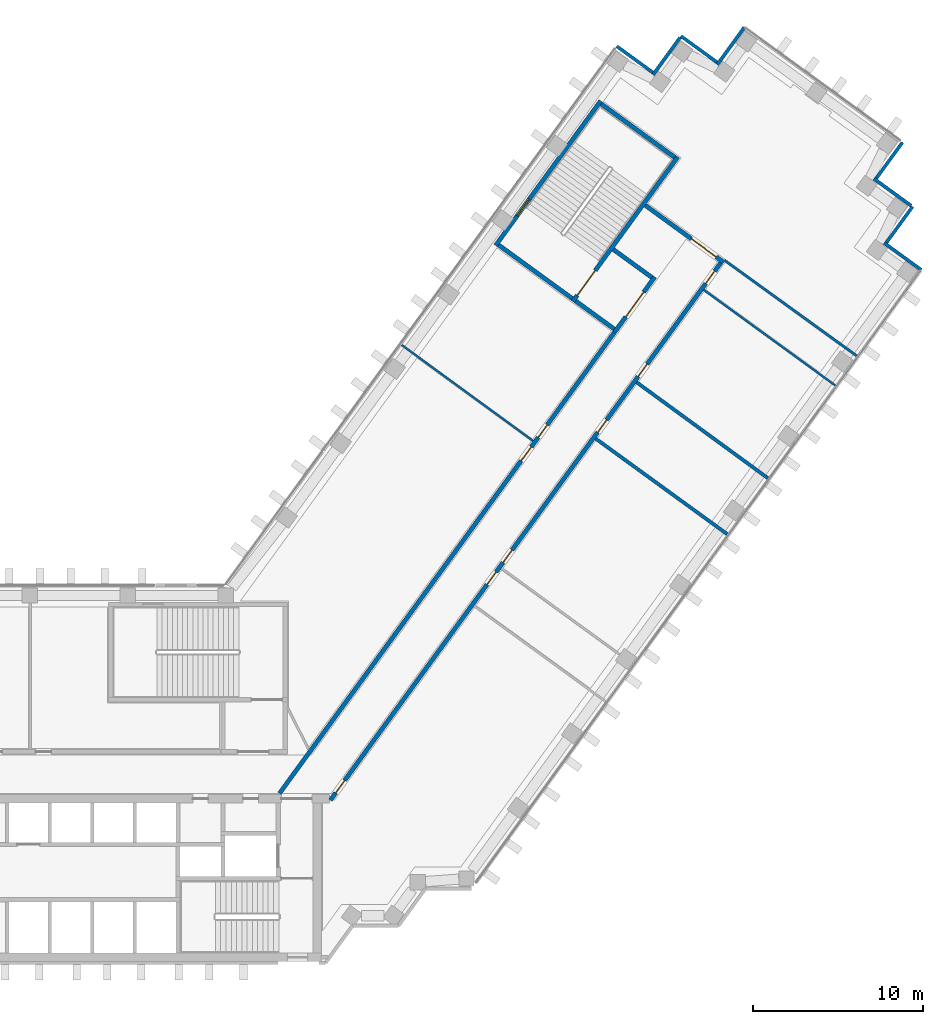
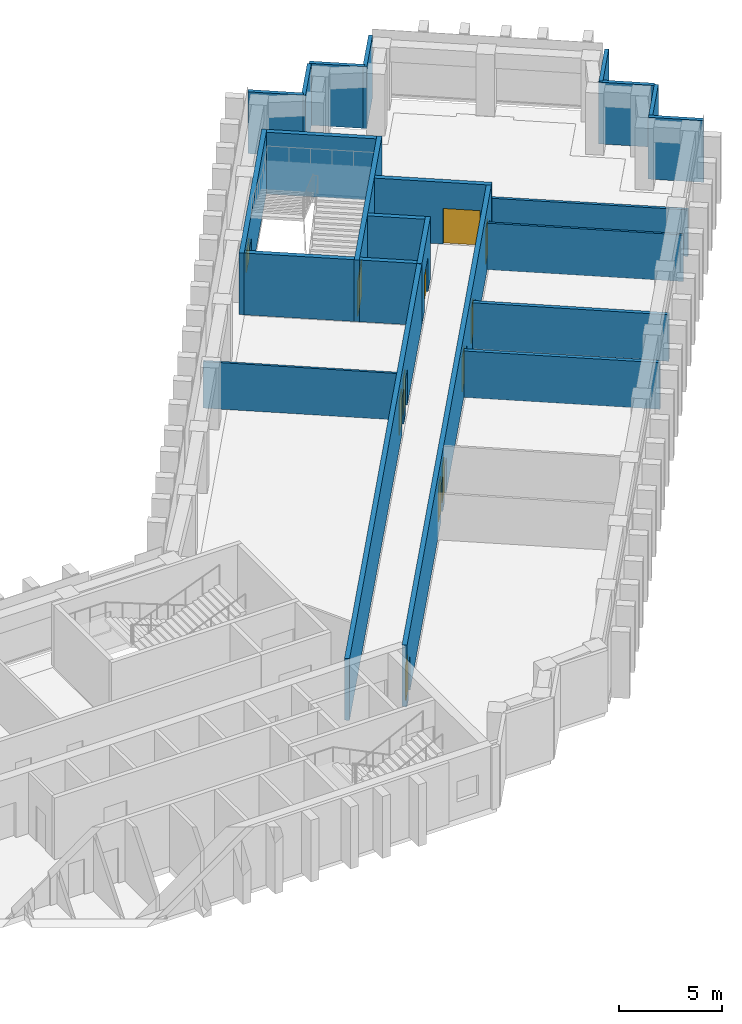
# One storey, part 11 of 15: 23 walls, 11 doors, 1 window, 12 openings.
"""IFC4 building model written with IfcOpenShell, lengths in metres."""

from ifc_helpers import new_model, si_unit, direction, frame, frame_2d, origin, place, context, subcontext, project, spatial, rectangle, extrude, material, layer, layer_set, type_object, element, fill, save


model = new_model("IFC4")

# Units and contexts
model_context = context("Model", 3, precision=1e-05, world=origin(), true_north=direction((0.0, 1.0)))
body_context = subcontext(model_context, "Body", "Model", "MODEL_VIEW")
ifc_project = project(units=[si_unit("LENGTHUNIT", "METRE"), si_unit("AREAUNIT", "SQUARE_METRE"), si_unit("VOLUMEUNIT", "CUBIC_METRE"), si_unit("PLANEANGLEUNIT", "RADIAN"), si_unit("MASSUNIT", "GRAM", prefix="KILO")], contexts=[model_context])

# Site, building, storey
site_placement = place(None, origin())
site = spatial("IfcSite", under=ifc_project, at=site_placement, CompositionType="ELEMENT")
building_placement = place(site_placement, origin())
building = spatial("IfcBuilding", under=site, at=building_placement, Name="Quipu Civic Tower", CompositionType="ELEMENT")
storey_placement = place(building_placement, frame((0.0, 0.0, 31.0)))
storey = spatial("IfcBuildingStorey", under=building, at=storey_placement, Name="L06", CompositionType="ELEMENT", Elevation=31.0)

# Walls
ifc_material_1 = material(Name="Double gypsum plasterboard with mineral wool")
ifc_layer_1 = layer(ifc_material_1, 0.14990234375)
ifc_layer_set_1 = layer_set([ifc_layer_1], Name="Double gypsum plasterboard with mineral wool")
wall_type_1 = type_object("IfcWallType", Name="Acoustic partition 150 plasterboard", PredefinedType="PARTITIONING", material=ifc_layer_set_1)
wall_1_placement = place(storey_placement, frame((43.698486328125, 30.185302734375, 0.0), z_axis=(0.0, 0.0, 1.0), x_axis=(0.810419489461, -0.58585002441, 0.0)))
element("IfcWall", 1, at=wall_1_placement, inside=storey, type_object=wall_type_1, Name="Partition P13", PredefinedType="PARTITIONING", context=body_context, shape_type="SweptSolid", body=[
    extrude(rectangle(XDim=9.570068359375, YDim=0.14990234375, at=frame_2d((4.78515625, 0.0))), origin(), (0.0, 0.0, 1.0), 2.75),
])
ifc_material_2 = material(Name="Fired clay blockwork", Category="masonry")
ifc_layer_2 = layer(ifc_material_2, 0.199951171875)
ifc_layer_set_2 = layer_set([ifc_layer_2], Name="Fired clay blockwork")
wall_type_2 = type_object("IfcWallType", Name="Blockwork wall 200", PredefinedType="SOLIDWALL", material=ifc_layer_set_2)
for number, where, z_axis, x_axis, name in (
    (2, (43.84423828125, 14.1044921875, 0.0), (0.0, 0.0, 1.0), (-0.809102944047, 0.587666934526, 0.0), "Partition P03"),
    (3, (38.521728515625, 23.026123046875, 0.0), (0.0, 0.0, 1.0), (0.807606997933, -0.589721067023, 0.0), "Partition P05"),
):
    element("IfcWall", number, at=place(storey_placement, frame(where, z_axis=z_axis, x_axis=x_axis)), inside=storey, type_object=wall_type_2, Name=name, PredefinedType="SOLIDWALL", context=body_context, shape_type="SweptSolid", body=[
        extrude(rectangle(XDim=9.550048828125, YDim=0.199951171875, at=frame_2d((4.77490234375, 0.0))), origin(), (0.0, 0.0, 1.0), 2.75),
    ])

# Wall, opening, door
ifc_material_3 = material(Name="Concrete C70/85", Category="concrete")
ifc_layer_3 = layer(ifc_material_3, 0.25)
ifc_layer_set_3 = layer_set([ifc_layer_3], Name="Concrete C70/85")
wall_type_3 = type_object("IfcWallType", Name="Core wall 250", PredefinedType="SHEAR", material=ifc_layer_set_3)
wall_2_placement = place(storey_placement, frame((37.237548828125, 25.979736328125, 0.0), z_axis=(0.0, 0.0, 1.0), x_axis=(0.587772420479, 0.809026317077, 0.0)))
wall_2 = element("IfcWall", 4, at=wall_2_placement, inside=storey, type_object=wall_type_3, Name="Core wall", PredefinedType="SHEAR", context=body_context, shape_type="SweptSolid", body=[
    extrude(rectangle(XDim=4.0, YDim=0.25, at=frame_2d((2.0, 0.0))), origin(), (0.0, 0.0, 1.0), 3.64990234375),
])
opening_1_placement = place(wall_2_placement, frame((1.10009765625, 0.0, 0.0)))
opening_1 = element("IfcOpeningElement", 5, at=opening_1_placement, cuts=wall_2, Name="Opening CD-21", PredefinedType="OPENING", context=body_context, shape_type="SweptSolid", body=[
    extrude(rectangle(XDim=1.800048828125, YDim=2.10009765625, at=frame_2d((0.89990234375, 1.050048828125))), frame((0.0, 0.135009765625, 0.0), z_axis=(0.0, -1.0, 0.0), x_axis=(1.0, 0.0, 0.0)), (0.0, 0.0, 1.0), 0.27001953125),
])
ifc_material_4 = material(Name="Fire rated steel door", Category="steel")
door_type_1 = type_object("IfcDoorType", Name="Fire door FD90 double 1800 x 2100", OperationType="NOTDEFINED", PredefinedType="DOOR", material=ifc_material_4)
door_1_placement = place(opening_1_placement, origin())
door_1 = element("IfcDoor", 6, at=door_1_placement, inside=storey, type_object=door_type_1, Name="Lobby door", OperationType="DOUBLE_DOOR_SINGLE_SWING", OverallHeight=2.10009765625, OverallWidth=1.800048828125, PredefinedType="DOOR", context=body_context, shape_type="SweptSolid", body=[
    extrude(rectangle(XDim=1.800048828125, YDim=2.10009765625, at=frame_2d((0.89990234375, 1.050048828125))), frame((0.0, 0.02490234375, 0.0), z_axis=(0.0, -1.0, 0.0), x_axis=(1.0, 0.0, 0.0)), (0.0, 0.0, 1.0), 0.050048828125),
])
fill(opening_1, door_1)

# Walls
for number, where, z_axis, x_axis, name in (
    (7, (37.2099609375, 26.154296875, 0.0), (0.0, 0.0, 1.0), (-0.809041377956, 0.587751689708, 0.0), "Core wall"),
    (8, (39.4140625, 29.18798828125, 0.0), (0.0, 0.0, 1.0), (-0.808969789945, 0.58785021813, 0.0), "Core wall"),
):
    element("IfcWall", number, at=place(storey_placement, frame(where, z_axis=z_axis, x_axis=x_axis)), inside=storey, type_object=wall_type_3, Name=name, PredefinedType="SHEAR", context=body_context, shape_type="SweptSolid", body=[
        extrude(rectangle(XDim=2.800048828125, YDim=0.25, at=frame_2d((1.39990234375, 0.0))), origin(), (0.0, 0.0, 1.0), 3.64990234375),
    ])

# Wall, opening, door
wall_3_placement = place(storey_placement, frame((34.77001953125, 27.7724609375, 0.0), z_axis=(0.0, 0.0, 1.0), x_axis=(0.587795589702, 0.809009483706, 0.0)))
wall_3 = element("IfcWall", 9, at=wall_3_placement, inside=storey, type_object=wall_type_3, Name="Core wall", PredefinedType="SHEAR", context=body_context, shape_type="SweptSolid", body=[
    extrude(rectangle(XDim=10.5, YDim=0.25, at=frame_2d((5.25, 0.0))), origin(), (0.0, 0.0, 1.0), 3.64990234375),
])
opening_2_placement = place(wall_3_placement, frame((0.449951171875, 0.0, 0.0)))
opening_2 = element("IfcOpeningElement", 10, at=opening_2_placement, cuts=wall_3, Name="Opening CD-22", PredefinedType="OPENING", context=body_context, shape_type="SweptSolid", body=[
    extrude(rectangle(XDim=1.800048828125, YDim=2.10009765625, at=frame_2d((0.89990234375, 1.050048828125))), frame((0.0, 0.135009765625, 0.0), z_axis=(0.0, -1.0, 0.0), x_axis=(1.0, 0.0, 0.0)), (0.0, 0.0, 1.0), 0.27001953125),
])
door_2_placement = place(opening_2_placement, origin())
door_2 = element("IfcDoor", 11, at=door_2_placement, inside=storey, type_object=door_type_1, Name="Door", OperationType="DOUBLE_DOOR_SINGLE_SWING", OverallHeight=2.10009765625, OverallWidth=1.800048828125, PredefinedType="DOOR", context=body_context, shape_type="SweptSolid", body=[
    extrude(rectangle(XDim=1.800048828125, YDim=2.10009765625, at=frame_2d((0.89990234375, 1.050048828125))), frame((0.0, 0.02490234375, 0.0), z_axis=(0.0, -1.0, 0.0), x_axis=(1.0, 0.0, 0.0)), (0.0, 0.0, 1.0), 0.050048828125),
])
fill(opening_2, door_2)

# Walls
wall_4_placement = place(storey_placement, frame((34.742431640625, 27.947021484375, 0.0), z_axis=(0.0, 0.0, 1.0), x_axis=(-0.8089984606, 0.587810760999, 0.0)))
element("IfcWall", 12, at=wall_4_placement, inside=storey, type_object=wall_type_3, Name="Core wall", PredefinedType="SHEAR", context=body_context, shape_type="SweptSolid", body=[
    extrude(rectangle(XDim=5.35009765625, YDim=0.25, at=frame_2d((2.675048828125, 0.0))), origin(), (0.0, 0.0, 1.0), 3.64990234375),
])
wall_5_placement = place(storey_placement, frame((40.76708984375, 36.239501953125, 0.0), z_axis=(0.0, 0.0, 1.0), x_axis=(-0.809020161303, 0.587780893365, 0.0)))
element("IfcWall", 13, at=wall_5_placement, inside=storey, type_object=wall_type_3, Name="Core wall", PredefinedType="SHEAR", context=body_context, shape_type="SweptSolid", body=[
    extrude(rectangle(XDim=5.349853515625, YDim=0.25, at=frame_2d((2.6748046875, 0.0))), origin(), (0.0, 0.0, 1.0), 3.64990234375),
])

# Wall, opening, window
wall_6_placement = place(storey_placement, frame((30.239501953125, 31.06396484375, 0.0), z_axis=(0.0, 0.0, 1.0), x_axis=(0.587795589702, 0.809009483706, 0.0)))
wall_6 = element("IfcWall", 14, at=wall_6_placement, inside=storey, type_object=wall_type_3, Name="Core wall", PredefinedType="SHEAR", context=body_context, shape_type="SweptSolid", body=[
    extrude(rectangle(XDim=10.5, YDim=0.25, at=frame_2d((5.25, 0.0))), origin(), (0.0, 0.0, 1.0), 3.64990234375),
])
opening_3_placement = place(wall_6_placement, frame((2.14990234375, 0.0, 1.0)))
opening_3 = element("IfcOpeningElement", 15, at=opening_3_placement, cuts=wall_6, Name="Opening SV-7", PredefinedType="OPENING", context=body_context, shape_type="SweptSolid", body=[
    extrude(rectangle(XDim=1.199951171875, YDim=1.199951171875, at=frame_2d((0.60009765625, 0.60009765625))), frame((0.0, 0.135009765625, 0.0), z_axis=(0.0, -1.0, 0.0), x_axis=(1.0, 0.0, 0.0)), (0.0, 0.0, 1.0), 0.27001953125),
])
ifc_material_5 = material(Name="Aluminium louvre", Category="aluminium")
window_type = type_object("IfcWindowType", Name="Stair ventilation louvre 1200 x 1200", PartitioningType="SINGLE_PANEL", PredefinedType="WINDOW", material=ifc_material_5)
window_placement = place(opening_3_placement, origin())
window = element("IfcWindow", 16, at=window_placement, inside=storey, type_object=window_type, Name="Stair ventilation opening", OverallHeight=1.199951171875, OverallWidth=1.199951171875, PartitioningType="SINGLE_PANEL", PredefinedType="WINDOW", context=body_context, shape_type="SweptSolid", body=[
    extrude(rectangle(XDim=1.199951171875, YDim=1.199951171875, at=frame_2d((0.60009765625, 0.60009765625))), frame((0.0, 0.030029296875, 0.0), z_axis=(0.0, -1.0, 0.0), x_axis=(1.0, 0.0, 0.0)), (0.0, 0.0, 1.0), 0.06005859375),
])
fill(opening_3, window)

# Wall, openings, doors
ifc_material_6 = material(Name="Concrete C50/60", Category="concrete")
ifc_layer_4 = layer(ifc_material_6, 0.25)
ifc_layer_set_4 = layer_set([ifc_layer_4], Name="Concrete C50/60")
wall_type_4 = type_object("IfcWallType", Name="Corridor wall 250 concrete", PredefinedType="SOLIDWALL", material=ifc_layer_set_4)
wall_7_placement = place(storey_placement, frame((17.544921875, -1.124755859375, 0.0), z_axis=(0.0, 0.0, 1.0), x_axis=(0.587786323093, 0.809016216391, 0.0)))
wall_7 = element("IfcWall", 17, at=wall_7_placement, inside=storey, type_object=wall_type_4, Name="Corridor wall C06", PredefinedType="SOLIDWALL", context=body_context, shape_type="SweptSolid", body=[
    extrude(rectangle(XDim=33.4931640625, YDim=0.25, at=frame_2d((16.74658203125, 0.0))), origin(), (0.0, 0.0, 1.0), 3.64990234375),
])
opening_4_placement = place(wall_7_placement, frame((25.857421875, 0.0, 0.0)))
opening_4 = element("IfcOpeningElement", 18, at=opening_4_placement, cuts=wall_7, Name="Opening D002", PredefinedType="OPENING", context=body_context, shape_type="SweptSolid", body=[
    extrude(rectangle(XDim=0.89990234375, YDim=2.10009765625, at=frame_2d((0.449951171875, 1.050048828125))), frame((0.0, 0.135009765625, 0.0), z_axis=(0.0, -1.0, 0.0), x_axis=(1.0, 0.0, 0.0)), (0.0, 0.0, 1.0), 0.27001953125),
])
opening_5_placement = place(wall_7_placement, frame((24.1572265625, 0.0, 0.0)))
opening_5 = element("IfcOpeningElement", 19, at=opening_5_placement, cuts=wall_7, Name="Opening D001", PredefinedType="OPENING", context=body_context, shape_type="SweptSolid", body=[
    extrude(rectangle(XDim=1.0, YDim=2.10009765625, at=frame_2d((0.5, 1.050048828125))), frame((0.0, 0.135009765625, 0.0), z_axis=(0.0, -1.0, 0.0), x_axis=(1.0, 0.0, 0.0)), (0.0, 0.0, 1.0), 0.27001953125),
])
ifc_material_7 = material(Name="Fire rated timber door set with metal frame", Category="wood")
door_type_2 = type_object("IfcDoorType", Name="Single door 1000 x 2100 FD60", OperationType="NOTDEFINED", PredefinedType="DOOR", material=ifc_material_7)
door_3_placement = place(opening_5_placement, origin())
door_3 = element("IfcDoor", 20, at=door_3_placement, inside=storey, type_object=door_type_2, Name="Door D001", OperationType="SINGLE_SWING_RIGHT", OverallHeight=2.10009765625, OverallWidth=1.0, PredefinedType="DOOR", context=body_context, shape_type="SweptSolid", body=[
    extrude(rectangle(XDim=1.0, YDim=2.10009765625, at=frame_2d((0.5, 1.050048828125))), frame((0.0, 0.02490234375, 0.0), z_axis=(0.0, -1.0, 0.0), x_axis=(1.0, 0.0, 0.0)), (0.0, 0.0, 1.0), 0.050048828125),
])
fill(opening_5, door_3)
ifc_material_8 = material(Name="Fire rated timber door set with metal frame", Category="wood")
door_type_3 = type_object("IfcDoorType", Name="Single door 900 x 2100 FD60", OperationType="NOTDEFINED", PredefinedType="DOOR", material=ifc_material_8)
door_4_placement = place(opening_4_placement, origin())
door_4 = element("IfcDoor", 21, at=door_4_placement, inside=storey, type_object=door_type_3, Name="Door D002", OperationType="SINGLE_SWING_LEFT", OverallHeight=2.10009765625, OverallWidth=0.89990234375, PredefinedType="DOOR", context=body_context, shape_type="SweptSolid", body=[
    extrude(rectangle(XDim=0.89990234375, YDim=2.10009765625, at=frame_2d((0.449951171875, 1.050048828125))), frame((0.0, 0.02490234375, 0.0), z_axis=(0.0, -1.0, 0.0), x_axis=(1.0, 0.0, 0.0)), (0.0, 0.0, 1.0), 0.050048828125),
])
fill(opening_4, door_4)

# Wall, opening, door
wall_8_placement = place(storey_placement, frame((39.03369140625, 33.419921875, 0.0), z_axis=(0.0, 0.0, 1.0), x_axis=(0.809023325802, -0.587776537732, 0.0)))
wall_8 = element("IfcWall", 22, at=wall_8_placement, inside=storey, type_object=wall_type_4, Name="Corridor wall C07", PredefinedType="SOLIDWALL", context=body_context, shape_type="SweptSolid", body=[
    extrude(rectangle(XDim=5.695068359375, YDim=0.25, at=frame_2d((2.84765625, 0.0))), origin(), (0.0, 0.0, 1.0), 3.64990234375),
])
opening_6_placement = place(wall_8_placement, frame((3.34521484375, 0.0, 0.0)))
opening_6 = element("IfcOpeningElement", 23, at=opening_6_placement, cuts=wall_8, Name="Opening D009", PredefinedType="OPENING", context=body_context, shape_type="SweptSolid", body=[
    extrude(rectangle(XDim=1.800048828125, YDim=2.10009765625, at=frame_2d((0.89990234375, 1.050048828125))), frame((0.0, 0.135009765625, 0.0), z_axis=(0.0, -1.0, 0.0), x_axis=(1.0, 0.0, 0.0)), (0.0, 0.0, 1.0), 0.27001953125),
])
ifc_material_9 = material(Name="Fire rated timber door set with metal frame", Category="wood")
door_type_4 = type_object("IfcDoorType", Name="Double door 1800 x 2100 FD60", OperationType="DOUBLE_DOOR_SINGLE_SWING", PredefinedType="DOOR", material=ifc_material_9)
door_5_placement = place(opening_6_placement, origin())
door_5 = element("IfcDoor", 24, at=door_5_placement, inside=storey, type_object=door_type_4, Name="Door D009", OperationType="DOUBLE_DOOR_SINGLE_SWING", OverallHeight=2.10009765625, OverallWidth=1.800048828125, PredefinedType="DOOR", context=body_context, shape_type="SweptSolid", body=[
    extrude(rectangle(XDim=1.800048828125, YDim=2.10009765625, at=frame_2d((0.89990234375, 1.050048828125))), frame((0.0, 0.02490234375, 0.0), z_axis=(0.0, -1.0, 0.0), x_axis=(1.0, 0.0, 0.0)), (0.0, 0.0, 1.0), 0.050048828125),
])
fill(opening_6, door_5)

# Wall, openings, doors
wall_9_placement = place(storey_placement, frame((43.466552734375, 30.044677734375, 0.0), z_axis=(0.0, 0.0, 1.0), x_axis=(-0.587784726077, -0.809017376692, 0.0)))
wall_9 = element("IfcWall", 25, at=wall_9_placement, inside=storey, type_object=wall_type_4, Name="Corridor wall C08", PredefinedType="SOLIDWALL", context=body_context, shape_type="SweptSolid", body=[
    extrude(rectangle(XDim=39.020263671875, YDim=0.25, at=frame_2d((19.51025390625, 0.0))), origin(), (0.0, 0.0, 1.0), 3.64990234375),
])
opening_7_placement = place(wall_9_placement, frame((37.587646484375, 0.0, 0.0)))
opening_7 = element("IfcOpeningElement", 26, at=opening_7_placement, cuts=wall_9, Name="Opening D003", PredefinedType="OPENING", context=body_context, shape_type="SweptSolid", body=[
    extrude(rectangle(XDim=0.89990234375, YDim=2.10009765625, at=frame_2d((0.449951171875, 1.050048828125))), frame((0.0, 0.135009765625, 0.0), z_axis=(0.0, -1.0, 0.0), x_axis=(1.0, 0.0, 0.0)), (0.0, 0.0, 1.0), 0.27001953125),
])
opening_8_placement = place(wall_9_placement, frame((20.85498046875, 0.0, 0.0)))
opening_8 = element("IfcOpeningElement", 27, at=opening_8_placement, cuts=wall_9, Name="Opening D005", PredefinedType="OPENING", context=body_context, shape_type="SweptSolid", body=[
    extrude(rectangle(XDim=0.89990234375, YDim=2.10009765625, at=frame_2d((0.449951171875, 1.050048828125))), frame((0.0, 0.135009765625, 0.0), z_axis=(0.0, -1.0, 0.0), x_axis=(1.0, 0.0, 0.0)), (0.0, 0.0, 1.0), 0.27001953125),
])
opening_9_placement = place(wall_9_placement, frame((7.35498046875, 0.0, 0.0)))
opening_9 = element("IfcOpeningElement", 28, at=opening_9_placement, cuts=wall_9, Name="Opening D007", PredefinedType="OPENING", context=body_context, shape_type="SweptSolid", body=[
    extrude(rectangle(XDim=0.89990234375, YDim=2.10009765625, at=frame_2d((0.449951171875, 1.050048828125))), frame((0.0, 0.135009765625, 0.0), z_axis=(0.0, -1.0, 0.0), x_axis=(1.0, 0.0, 0.0)), (0.0, 0.0, 1.0), 0.27001953125),
])
opening_10_placement = place(wall_9_placement, frame((11.404296875, 0.0, 0.0)))
opening_10 = element("IfcOpeningElement", 29, at=opening_10_placement, cuts=wall_9, Name="Opening D006", PredefinedType="OPENING", context=body_context, shape_type="SweptSolid", body=[
    extrude(rectangle(XDim=0.89990234375, YDim=2.10009765625, at=frame_2d((0.449951171875, 1.050048828125))), frame((0.0, 0.135009765625, 0.0), z_axis=(0.0, -1.0, 0.0), x_axis=(1.0, 0.0, 0.0)), (0.0, 0.0, 1.0), 0.27001953125),
])
opening_11_placement = place(wall_9_placement, frame((0.6044921875, 0.0, 0.0)))
opening_11 = element("IfcOpeningElement", 30, at=opening_11_placement, cuts=wall_9, Name="Opening D008", PredefinedType="OPENING", context=body_context, shape_type="SweptSolid", body=[
    extrude(rectangle(XDim=0.89990234375, YDim=2.10009765625, at=frame_2d((0.449951171875, 1.050048828125))), frame((0.0, 0.135009765625, 0.0), z_axis=(0.0, -1.0, 0.0), x_axis=(1.0, 0.0, 0.0)), (0.0, 0.0, 1.0), 0.27001953125),
])
opening_12_placement = place(wall_9_placement, frame((22.45458984375, 0.0, 0.0)))
opening_12 = element("IfcOpeningElement", 31, at=opening_12_placement, cuts=wall_9, Name="Opening D004", PredefinedType="OPENING", context=body_context, shape_type="SweptSolid", body=[
    extrude(rectangle(XDim=0.89990234375, YDim=2.10009765625, at=frame_2d((0.449951171875, 1.050048828125))), frame((0.0, 0.135009765625, 0.0), z_axis=(0.0, -1.0, 0.0), x_axis=(1.0, 0.0, 0.0)), (0.0, 0.0, 1.0), 0.27001953125),
])
door_6_placement = place(opening_7_placement, origin())
door_6 = element("IfcDoor", 32, at=door_6_placement, inside=storey, type_object=door_type_3, Name="Door D003", OperationType="SINGLE_SWING_RIGHT", OverallHeight=2.10009765625, OverallWidth=0.89990234375, PredefinedType="DOOR", context=body_context, shape_type="SweptSolid", body=[
    extrude(rectangle(XDim=0.89990234375, YDim=2.10009765625, at=frame_2d((0.449951171875, 1.050048828125))), frame((0.0, 0.02490234375, 0.0), z_axis=(0.0, -1.0, 0.0), x_axis=(1.0, 0.0, 0.0)), (0.0, 0.0, 1.0), 0.050048828125),
])
fill(opening_7, door_6)
door_7_placement = place(opening_8_placement, origin())
door_7 = element("IfcDoor", 33, at=door_7_placement, inside=storey, type_object=door_type_3, Name="Door D005", OperationType="SINGLE_SWING_RIGHT", OverallHeight=2.10009765625, OverallWidth=0.89990234375, PredefinedType="DOOR", context=body_context, shape_type="SweptSolid", body=[
    extrude(rectangle(XDim=0.89990234375, YDim=2.10009765625, at=frame_2d((0.449951171875, 1.050048828125))), frame((0.0, 0.02490234375, 0.0), z_axis=(0.0, -1.0, 0.0), x_axis=(1.0, 0.0, 0.0)), (0.0, 0.0, 1.0), 0.050048828125),
])
fill(opening_8, door_7)
door_8_placement = place(opening_9_placement, origin())
door_8 = element("IfcDoor", 34, at=door_8_placement, inside=storey, type_object=door_type_3, Name="Door D007", OperationType="SINGLE_SWING_RIGHT", OverallHeight=2.10009765625, OverallWidth=0.89990234375, PredefinedType="DOOR", context=body_context, shape_type="SweptSolid", body=[
    extrude(rectangle(XDim=0.89990234375, YDim=2.10009765625, at=frame_2d((0.449951171875, 1.050048828125))), frame((0.0, 0.02490234375, 0.0), z_axis=(0.0, -1.0, 0.0), x_axis=(1.0, 0.0, 0.0)), (0.0, 0.0, 1.0), 0.050048828125),
])
fill(opening_9, door_8)
door_9_placement = place(opening_10_placement, origin())
door_9 = element("IfcDoor", 35, at=door_9_placement, inside=storey, type_object=door_type_3, Name="Door D006", OperationType="SINGLE_SWING_RIGHT", OverallHeight=2.10009765625, OverallWidth=0.89990234375, PredefinedType="DOOR", context=body_context, shape_type="SweptSolid", body=[
    extrude(rectangle(XDim=0.89990234375, YDim=2.10009765625, at=frame_2d((0.449951171875, 1.050048828125))), frame((0.0, 0.02490234375, 0.0), z_axis=(0.0, -1.0, 0.0), x_axis=(1.0, 0.0, 0.0)), (0.0, 0.0, 1.0), 0.050048828125),
])
fill(opening_10, door_9)
door_10_placement = place(opening_11_placement, origin())
door_10 = element("IfcDoor", 36, at=door_10_placement, inside=storey, type_object=door_type_3, Name="Door D008", OperationType="SINGLE_SWING_RIGHT", OverallHeight=2.10009765625, OverallWidth=0.89990234375, PredefinedType="DOOR", context=body_context, shape_type="SweptSolid", body=[
    extrude(rectangle(XDim=0.89990234375, YDim=2.10009765625, at=frame_2d((0.449951171875, 1.050048828125))), frame((0.0, 0.02490234375, 0.0), z_axis=(0.0, -1.0, 0.0), x_axis=(1.0, 0.0, 0.0)), (0.0, 0.0, 1.0), 0.050048828125),
])
fill(opening_11, door_10)
door_11_placement = place(opening_12_placement, origin())
door_11 = element("IfcDoor", 37, at=door_11_placement, inside=storey, type_object=door_type_3, Name="Door D004", OperationType="SINGLE_SWING_LEFT", OverallHeight=2.10009765625, OverallWidth=0.89990234375, PredefinedType="DOOR", context=body_context, shape_type="SweptSolid", body=[
    extrude(rectangle(XDim=0.89990234375, YDim=2.10009765625, at=frame_2d((0.449951171875, 1.050048828125))), frame((0.0, 0.02490234375, 0.0), z_axis=(0.0, -1.0, 0.0), x_axis=(1.0, 0.0, 0.0)), (0.0, 0.0, 1.0), 0.050048828125),
])
fill(opening_12, door_11)

# Walls
ifc_material_10 = material(Name="Gypsum plasterboard on light gauge framing")
ifc_layer_5 = layer(ifc_material_10, 0.1201171875)
ifc_layer_set_5 = layer_set([ifc_layer_5], Name="Gypsum plasterboard on light gauge framing")
wall_type_5 = type_object("IfcWallType", Name="Partition 120 plasterboard", PredefinedType="PARTITIONING", material=ifc_layer_set_5)
wall_10_placement = place(storey_placement, frame((24.724365234375, 25.216796875, 0.0), z_axis=(0.0, 0.0, 1.0), x_axis=(0.807606997933, -0.589721067023, 0.0)))
element("IfcWall", 38, at=wall_10_placement, inside=storey, type_object=wall_type_5, Name="Partition P01", PredefinedType="PARTITIONING", context=body_context, shape_type="SweptSolid", body=[
    extrude(rectangle(XDim=9.550048828125, YDim=0.1201171875, at=frame_2d((4.77490234375, 0.0))), origin(), (0.0, 0.0, 1.0), 2.75),
])
wall_11_placement = place(storey_placement, frame((50.19189453125, 22.84130859375, 0.0), z_axis=(0.0, 0.0, 1.0), x_axis=(-0.809033337127, 0.587762757767, 0.0)))
element("IfcWall", 39, at=wall_11_placement, inside=storey, type_object=wall_type_5, Name="Partition P06", PredefinedType="PARTITIONING", context=body_context, shape_type="SweptSolid", body=[
    extrude(rectangle(XDim=9.55078125, YDim=0.1201171875, at=frame_2d((4.775390625, 0.0))), origin(), (0.0, 0.0, 1.0), 2.75),
])
ifc_material_11 = material(Name="Precast concrete C40/50", Category="concrete")
wall_type_6 = type_object("IfcWallType", Name="Precast cladding wall", PredefinedType="SOLIDWALL", material=ifc_material_11)
wall_12_placement = place(storey_placement, frame((55.2470703125, 29.62890625, 0.0), z_axis=(0.0, 0.0, 1.0), x_axis=(-0.809033161865, 0.587762999008, 0.0)))
element("IfcWall", 40, at=wall_12_placement, inside=storey, type_object=wall_type_6, Name="Precast cladding wall L06 17", PredefinedType="SOLIDWALL", context=body_context, shape_type="SweptSolid", body=[
    extrude(rectangle(XDim=2.699951171875, YDim=0.199951171875, at=frame_2d((1.35009765625, 0.0))), origin(), (0.0, 0.0, 1.0), 3.64990234375),
])
wall_13_placement = place(storey_placement, frame((53.150634765625, 31.166748046875, 0.0), z_axis=(0.0, 0.0, 1.0), x_axis=(0.587779184282, 0.809021403008, 0.0)))
element("IfcWall", 41, at=wall_13_placement, inside=storey, type_object=wall_type_6, Name="Precast cladding wall L06 18", PredefinedType="SOLIDWALL", context=body_context, shape_type="SweptSolid", body=[
    extrude(rectangle(XDim=2.7001953125, YDim=0.199951171875, at=frame_2d((1.35009765625, 0.0))), origin(), (0.0, 0.0, 1.0), 3.64990234375),
])
for number, where, z_axis, x_axis, name in (
    (42, (54.649658203125, 33.400390625, 0.0), (0.0, 0.0, 1.0), (-0.809033161865, 0.587762999008, 0.0), "Precast cladding wall L06 19"),
    (43, (52.55322265625, 34.938232421875, 0.0), (0.0, 0.0, 1.0), (0.587822180636, 0.808990163075, 0.0), "Precast cladding wall L06 20"),
    (44, (44.846435546875, 43.875, 0.0), (0.0, 0.0, 1.0), (-0.587822180636, -0.808990163075, 0.0), "Precast cladding wall L06 22"),
    (45, (43.308349609375, 41.77880859375, 0.0), (0.0, 0.0, 1.0), (-0.809033161865, 0.587762999008, 0.0), "Precast cladding wall L06 23"),
):
    element("IfcWall", number, at=place(storey_placement, frame(where, z_axis=z_axis, x_axis=x_axis)), inside=storey, type_object=wall_type_6, Name=name, PredefinedType="SOLIDWALL", context=body_context, shape_type="SweptSolid", body=[
        extrude(rectangle(XDim=2.699951171875, YDim=0.199951171875, at=frame_2d((1.35009765625, 0.0))), origin(), (0.0, 0.0, 1.0), 3.64990234375),
    ])
wall_14_placement = place(storey_placement, frame((41.074951171875, 43.277587890625, 0.0), z_axis=(0.0, 0.0, 1.0), x_axis=(-0.587806000234, -0.809001919707, 0.0)))
element("IfcWall", 46, at=wall_14_placement, inside=storey, type_object=wall_type_6, Name="Precast cladding wall L06 24", PredefinedType="SOLIDWALL", context=body_context, shape_type="SweptSolid", body=[
    extrude(rectangle(XDim=2.69970703125, YDim=0.199951171875, at=frame_2d((1.349853515625, 0.0))), origin(), (0.0, 0.0, 1.0), 3.64990234375),
])
wall_15_placement = place(storey_placement, frame((39.537109375, 41.181396484375, 0.0), z_axis=(0.0, 0.0, 1.0), x_axis=(-0.809033161865, 0.587762999008, 0.0)))
element("IfcWall", 47, at=wall_15_placement, inside=storey, type_object=wall_type_6, Name="Precast cladding wall L06 25", PredefinedType="SOLIDWALL", context=body_context, shape_type="SweptSolid", body=[
    extrude(rectangle(XDim=2.699951171875, YDim=0.199951171875, at=frame_2d((1.35009765625, 0.0))), origin(), (0.0, 0.0, 1.0), 3.64990234375),
])

save(model, "model.ifc")
